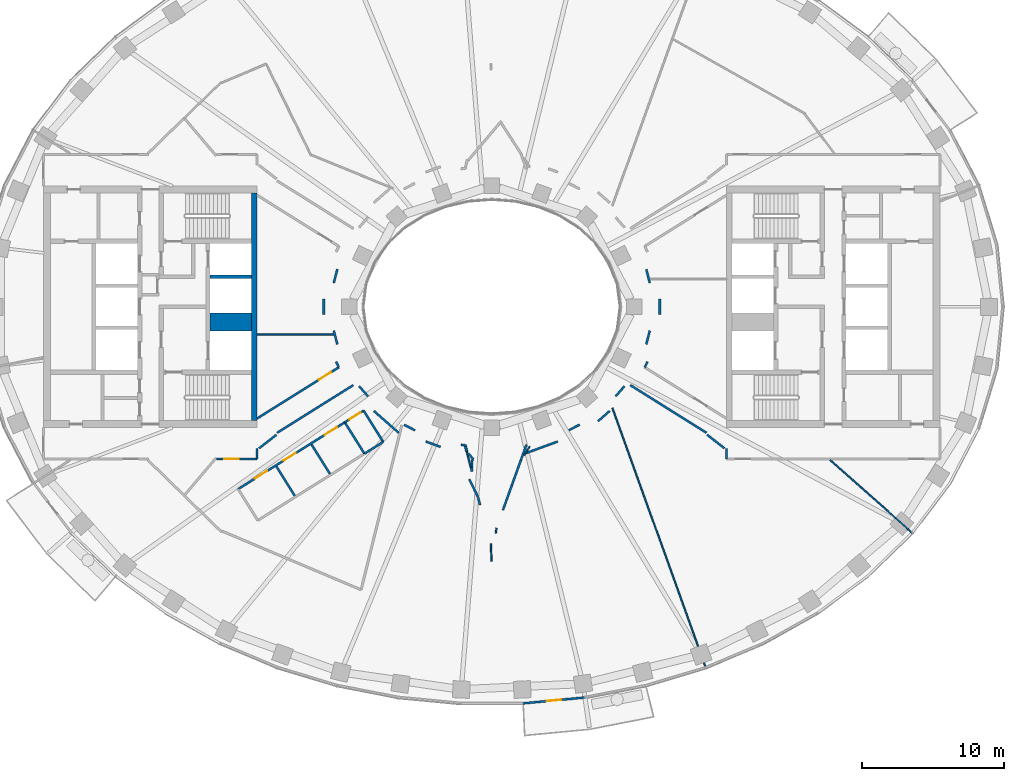
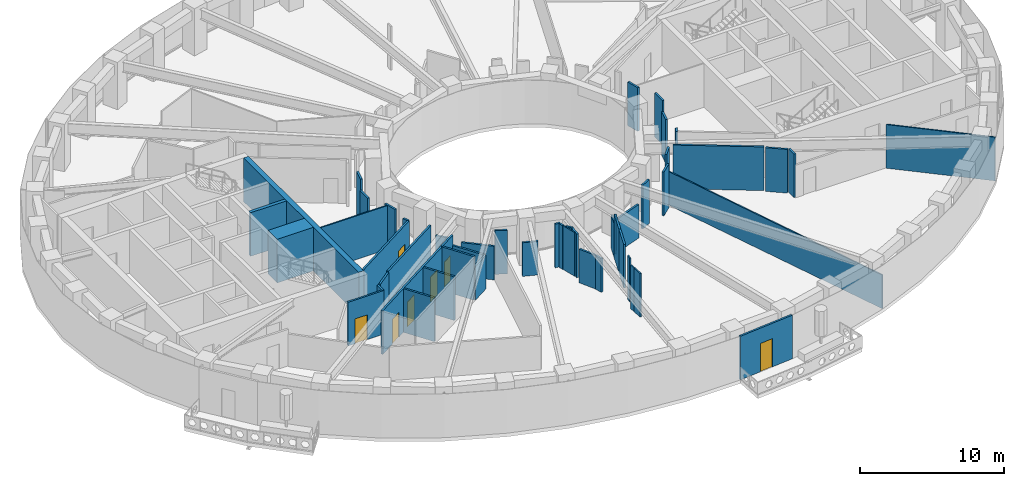
# One storey, part 4 of 16: 52 walls, 7 doors, 7 openings.
"""IFC4 building model written with IfcOpenShell, lengths in metres."""

import ifcopenshell
import ifcopenshell.guid

model = None  # the IFC model being written
_history = None  # IfcOwnerHistory: only IFC2X3 demands one
_inside = {}  # id of a spatial element -> (the spatial element, [elements in it])
_under = {}  # id of a project, library or spatial element -> (it, [spatial elements below it])
_declared = {}  # id of a project -> (the project, [libraries it declares])
_typed = {}  # id of a type object -> (the type object, [elements of that type])
_made_of = {}  # id of a material, layer set ... -> (it, [elements and type objects made of it])


def new_model(schema):
    """Start an empty IFC model of exactly this schema.

    Asked for "IFC4X3", IfcOpenShell would pick the latest addendum, in which some entities
    have other attributes; the version numbers below select the first issue.
    IFC2X3 requires an IfcOwnerHistory on every rooted entity: one is made here for all.
    """
    global model, _history
    if schema == "IFC4X3":
        model = ifcopenshell.file(schema_version=(4, 3, 0, 0))
    else:
        model = ifcopenshell.file(schema=schema)
    _inside.clear()
    _under.clear()
    _declared.clear()
    _typed.clear()
    _made_of.clear()
    _history = None
    if model.schema == "IFC2X3":
        org = make("IfcOrganization", Name="unknown")
        user = make(
            "IfcPersonAndOrganization",
            ThePerson=make("IfcPerson", FamilyName="unknown"),
            TheOrganization=org,
        )
        app = make(
            "IfcApplication",
            ApplicationDeveloper=org,
            Version="unknown",
            ApplicationFullName="unknown",
            ApplicationIdentifier="unknown",
        )
        _history = make(
            "IfcOwnerHistory",
            OwningUser=user,
            OwningApplication=app,
            ChangeAction="ADDED",
            CreationDate=0,
        )
    return model


def make(cls, **values):
    """One entity of the class cls with the attributes given. An attribute that is None is left unset."""
    return model.create_entity(
        cls, **{name: value for name, value in values.items() if value is not None}
    )


def rooted(cls, **values):
    """An entity with a GlobalId (a new one), such as an element, a storey or a relation."""
    return make(cls, GlobalId=ifcopenshell.guid.new(), OwnerHistory=_history, **values)


def si_unit(unit_type, name, prefix=None):
    """IfcSIUnit, for example si_unit("LENGTHUNIT", "METRE", prefix="MILLI")."""
    return make("IfcSIUnit", UnitType=unit_type, Prefix=prefix, Name=name)


def assignment(units):
    """IfcUnitAssignment: the units of a project."""
    return None if units is None else make("IfcUnitAssignment", Units=units)


def point(xyz):
    """IfcCartesianPoint."""
    return None if xyz is None else make("IfcCartesianPoint", Coordinates=xyz)


def direction(xyz):
    """IfcDirection."""
    return None if xyz is None else make("IfcDirection", DirectionRatios=xyz)


def frame(location, z_axis=None, x_axis=None):
    """IfcAxis2Placement3D, a coordinate frame: its origin and axes. An axis left out is left unset."""
    return make(
        "IfcAxis2Placement3D",
        Location=point(location),
        Axis=direction(z_axis),
        RefDirection=direction(x_axis),
    )


def frame_2d(location, x_axis=None):
    """IfcAxis2Placement2D, a coordinate frame in the plane: its origin and x axis."""
    return make(
        "IfcAxis2Placement2D", Location=point(location), RefDirection=direction(x_axis)
    )


def origin():
    """The frame at (0, 0, 0) with its axes left unset."""
    return frame((0.0, 0.0, 0.0))


def place(relative_to, where):
    """IfcLocalPlacement: puts the frame where relative to a parent placement (None: the world)."""
    return make(
        "IfcLocalPlacement", PlacementRelTo=relative_to, RelativePlacement=where
    )


def context(
    kind, dimensions, precision=None, world=None, true_north=None, identifier=None
):
    """IfcGeometricRepresentationContext, for example the 3D "Model" context."""
    return make(
        "IfcGeometricRepresentationContext",
        ContextIdentifier=identifier,
        ContextType=kind,
        CoordinateSpaceDimension=dimensions,
        Precision=precision,
        WorldCoordinateSystem=world,
        TrueNorth=true_north,
    )


def subcontext(parent, identifier, kind, view, scale=None):
    """IfcGeometricRepresentationSubContext, for example "Body" below "Model"."""
    return make(
        "IfcGeometricRepresentationSubContext",
        ContextIdentifier=identifier,
        ContextType=kind,
        ParentContext=parent,
        TargetScale=scale,
        TargetView=view,
    )


def project(units=None, contexts=None):
    """IfcProject with its units and contexts."""
    return rooted(
        "IfcProject",
        Name="project",
        RepresentationContexts=contexts,
        UnitsInContext=assignment(units),
    )


def spatial(cls, under=None, at=None, **own):
    """A site, building, storey or space (cls), placed at a placement, below another one or the project."""
    s = rooted(cls, ObjectPlacement=at, **own)
    if under is not None:
        _under.setdefault(under.id(), (under, []))[1].append(s)
    return s


def profile(cls, at=None, kind="AREA", **sizes):
    """A parametric profile (cls). Its sizes go by their IFC names, for example OverallWidth=200.0."""
    return make(cls, ProfileType=kind, Position=at, **sizes)


def rectangle(**sizes):
    """IfcRectangleProfileDef."""
    return profile("IfcRectangleProfileDef", **sizes)


def extrude(swept, where, along, depth):
    """IfcExtrudedAreaSolid: the profile swept, set in the frame where, extruded along a direction by depth."""
    return make(
        "IfcExtrudedAreaSolid",
        SweptArea=swept,
        Position=where,
        ExtrudedDirection=direction(along),
        Depth=depth,
    )


def shape(context_of_items, identifier, shape_type, items):
    """IfcShapeRepresentation: the items that make up one representation, for example the "Body"."""
    return make(
        "IfcShapeRepresentation",
        ContextOfItems=context_of_items,
        RepresentationIdentifier=identifier,
        RepresentationType=shape_type,
        Items=items,
    )


def material(Name=None, Category=None):
    """IfcMaterial."""
    return make("IfcMaterial", Name=Name, Category=Category)


def layer(
    of_material, thickness, ventilated=None, Name=None, Category=None, Priority=None
):
    """IfcMaterialLayer: one layer of a wall or slab, of a material (None: an air gap)."""
    return make(
        "IfcMaterialLayer",
        Material=of_material,
        LayerThickness=thickness,
        IsVentilated=ventilated,
        Name=Name,
        Category=Category,
        Priority=Priority,
    )


def layer_set(layers, Name=None):
    """IfcMaterialLayerSet."""
    return make("IfcMaterialLayerSet", MaterialLayers=layers, LayerSetName=Name)


def made_of(thing, what):
    """Note that an element or type object is made of a material, layer set ...; save() writes the relation."""
    if what is not None:
        _made_of.setdefault(what.id(), (what, []))[1].append(thing)
    return thing


def type_object(cls, material=None, **own):
    """A type object (cls), such as IfcWallType, which elements share."""
    return made_of(rooted(cls, **own), material)


def element(
    cls,
    number,
    at=None,
    inside=None,
    cuts=None,
    type_object=None,
    material=None,
    context=None,
    identifier="Body",
    shape_type=None,
    held_by="IfcProductDefinitionShape",
    body=None,
    shapes=None,
    **own,
):
    """One element of the class cls, such as IfcWall. Its Tag is "e" and its number.

    at: its placement. inside: the storey or other place that contains it. cuts: it is an
    opening in that element (IfcRelVoidsElement). A single representation is given by context,
    identifier, shape_type and body (its items); several are given by shapes. held_by: the class
    of the entity that holds the representations. save() writes the other relations.
    """
    e = rooted(cls, Tag="e%d" % number, ObjectPlacement=at, **own)
    if body is not None:
        shapes = [shape(context, identifier, shape_type, body)]
    if shapes is not None:
        e.Representation = make(held_by, Representations=shapes)
    if inside is not None:
        _inside.setdefault(inside.id(), (inside, []))[1].append(e)
    if cuts is not None:
        rooted(
            "IfcRelVoidsElement", RelatingBuildingElement=cuts, RelatedOpeningElement=e
        )
    if type_object is not None:
        _typed.setdefault(type_object.id(), (type_object, []))[1].append(e)
    return made_of(e, material)


def fill(opening, filler):
    """IfcRelFillsElement: the door or window that sits in an opening."""
    return rooted(
        "IfcRelFillsElement",
        RelatingOpeningElement=opening,
        RelatedBuildingElement=filler,
    )


def aggregate(whole, parts):
    """IfcRelAggregates: a whole, such as a stair, and the parts it consists of."""
    return rooted("IfcRelAggregates", RelatingObject=whole, RelatedObjects=parts)


def save(model, path):
    """Write the relations noted so far, then the file.

    IfcRelAggregates (storeys below a building ...), IfcRelContainedInSpatialStructure (elements
    in a storey), IfcRelDefinesByType, IfcRelAssociatesMaterial and IfcRelDeclares: one each for
    every whole, place, type object, material and project.
    """
    for whole, parts in _under.values():
        aggregate(whole, parts)
    for where, things in _inside.values():
        rooted(
            "IfcRelContainedInSpatialStructure",
            RelatedElements=things,
            RelatingStructure=where,
        )
    for kind, things in _typed.values():
        rooted("IfcRelDefinesByType", RelatedObjects=things, RelatingType=kind)
    for what, things in _made_of.values():
        rooted("IfcRelAssociatesMaterial", RelatedObjects=things, RelatingMaterial=what)
    for by, libraries in _declared.values():
        rooted("IfcRelDeclares", RelatingContext=by, RelatedDefinitions=libraries)
    model.write(path)


model = new_model("IFC4")

# Units and contexts
model_context = context("Model", 3, precision=1e-05, world=origin(), true_north=direction((0.0, 1.0)))
body_context = subcontext(model_context, "Body", "Model", "MODEL_VIEW")
ifc_project = project(units=[si_unit("LENGTHUNIT", "METRE"), si_unit("AREAUNIT", "SQUARE_METRE"), si_unit("VOLUMEUNIT", "CUBIC_METRE"), si_unit("PLANEANGLEUNIT", "RADIAN"), si_unit("MASSUNIT", "GRAM", prefix="KILO")], contexts=[model_context])

# Site, building, storey
site_placement = place(None, origin())
site = spatial("IfcSite", under=ifc_project, at=site_placement, CompositionType="ELEMENT")
building_placement = place(site_placement, origin())
building = spatial("IfcBuilding", under=site, at=building_placement, Name="Noorbagh Ring Tower", CompositionType="ELEMENT")
storey_placement = place(building_placement, frame((0.0, 0.0, 150.0)))
storey = spatial("IfcBuildingStorey", under=building, at=storey_placement, Name="L34", CompositionType="ELEMENT", Elevation=150.0)

# Wall, opening, door
ifc_material_1 = material(Name="Gypsum board on steel studs", Category="steel")
ifc_layer_1 = layer(ifc_material_1, 0.14990234375)
ifc_layer_set_1 = layer_set([ifc_layer_1], Name="Gypsum board on steel studs")
wall_type_1 = type_object("IfcWallType", Name="COMPARTMENT PARTITION 150 EI 60", PredefinedType="PARTITIONING", material=ifc_layer_set_1)
wall_1_placement = place(storey_placement, frame((-10.33203125, -8.118896484375, 0.0), z_axis=(0.0, 0.0, 1.0), x_axis=(0.847813537923, 0.530294451144, 0.0)))
wall_1 = element("IfcWall", 1, at=wall_1_placement, inside=storey, type_object=wall_type_1, Name="L34/wall/P36", PredefinedType="PARTITIONING", context=body_context, shape_type="SweptSolid", body=[
    extrude(rectangle(XDim=1.559326171875, YDim=0.14990234375, at=frame_2d((0.77978515625, 0.0))), origin(), (0.0, 0.0, 1.0), 3.699951171875),
])
opening_1_placement = place(wall_1_placement, frame((0.39990234375, 0.0, 0.0)))
opening_1 = element("IfcOpeningElement", 2, at=opening_1_placement, cuts=wall_1, Name="Opening D4", PredefinedType="OPENING", context=body_context, shape_type="SweptSolid", body=[
    extrude(rectangle(XDim=0.89990234375, YDim=2.10009765625, at=frame_2d((0.449951171875, 1.050048828125))), frame((0.0, 0.0849609375, 0.0), z_axis=(0.0, -1.0, 0.0), x_axis=(1.0, 0.0, 0.0)), (0.0, 0.0, 1.0), 0.169921875),
])
ifc_material_2 = material(Name="Timber, painted", Category="wood")
door_type_1 = type_object("IfcDoorType", Name="DOOR 900 X 2100 FD60", OperationType="SINGLE_SWING_LEFT", PredefinedType="DOOR", material=ifc_material_2)
door_1_placement = place(opening_1_placement, origin())
door_1 = element("IfcDoor", 3, at=door_1_placement, inside=storey, type_object=door_type_1, Name="L34-D05", OperationType="SINGLE_SWING_LEFT", OverallHeight=2.10009765625, OverallWidth=0.89990234375, PredefinedType="DOOR", context=body_context, shape_type="SweptSolid", body=[
    extrude(rectangle(XDim=0.89990234375, YDim=2.10009765625, at=frame_2d((0.449951171875, 1.050048828125))), frame((0.0, 0.02490234375, 0.0), z_axis=(0.0, -1.0, 0.0), x_axis=(1.0, 0.0, 0.0)), (0.0, 0.0, 1.0), 0.050048828125),
])
fill(opening_1, door_1)

# Walls
wall_2_placement = place(storey_placement, frame((-10.33203125, -8.118896484375, 0.0), z_axis=(0.0, 0.0, 1.0), x_axis=(0.530707606875, -0.847554975211, 0.0)))
element("IfcWall", 4, at=wall_2_placement, inside=storey, type_object=wall_type_1, Name="L34/wall/P37", PredefinedType="PARTITIONING", context=body_context, shape_type="SweptSolid", body=[
    extrude(rectangle(XDim=2.6005859375, YDim=0.14990234375, at=frame_2d((1.30029296875, 0.0))), origin(), (0.0, 0.0, 1.0), 3.699951171875),
])
wall_3_placement = place(storey_placement, frame((-9.010009765625, -7.2919921875, 0.0), z_axis=(0.0, 0.0, 1.0), x_axis=(0.530876561716, -0.847449158487, 0.0)))
element("IfcWall", 5, at=wall_3_placement, inside=storey, type_object=wall_type_1, Name="L34/wall/P41", PredefinedType="PARTITIONING", context=body_context, shape_type="SweptSolid", body=[
    extrude(rectangle(XDim=2.599609375, YDim=0.14990234375, at=frame_2d((1.2998046875, 0.0))), origin(), (0.0, 0.0, 1.0), 2.85009765625),
])
wall_4_placement = place(storey_placement, frame((-8.951904296875, -10.322998046875, 0.0), z_axis=(0.0, 0.0, 1.0), x_axis=(0.847522002386, 0.530760261768, 0.0)))
element("IfcWall", 6, at=wall_4_placement, inside=storey, type_object=wall_type_1, Name="L34/wall/P42", PredefinedType="PARTITIONING", context=body_context, shape_type="SweptSolid", body=[
    extrude(rectangle(XDim=1.55615234375, YDim=0.14990234375, at=frame_2d((0.778076171875, 0.0))), origin(), (0.0, 0.0, 1.0), 2.85009765625),
])
ifc_material_3 = material(Name="Concrete C60/75", Category="concrete")
ifc_layer_2 = layer(ifc_material_3, 1.25)
ifc_layer_set_2 = layer_set([ifc_layer_2], Name="Concrete C60/75")
wall_type_2 = type_object("IfcWallType", Name="CORE-WALL-1250-C60-75-EI120", PredefinedType="SHEAR", material=ifc_layer_set_2)
wall_5_placement = place(storey_placement, frame((-16.89990234375, -1.074951171875, 0.0), z_axis=(0.0, 0.0, 1.0), x_axis=(-1.0, 0.0, 0.0)))
element("IfcWall", 7, at=wall_5_placement, inside=storey, type_object=wall_type_2, Name="Core wall W", PredefinedType="SHEAR", context=body_context, shape_type="SweptSolid", body=[
    extrude(rectangle(XDim=2.900146484375, YDim=1.25, at=frame_2d((1.4501953125, 0.0))), origin(), (0.0, 0.0, 1.0), 3.699951171875),
])
ifc_material_4 = material(Name="Concrete C60/75", Category="concrete")
ifc_layer_3 = layer(ifc_material_4, 0.25)
ifc_layer_set_3 = layer_set([ifc_layer_3], Name="Concrete C60/75")
wall_type_3 = type_object("IfcWallType", Name="CORE-WALL-250-C60-75-EI120", PredefinedType="SHEAR", material=ifc_layer_set_3)
wall_6_placement = place(storey_placement, frame((-16.89990234375, 2.125, 0.0), z_axis=(0.0, 0.0, 1.0), x_axis=(-1.0, 0.0, 0.0)))
element("IfcWall", 8, at=wall_6_placement, inside=storey, type_object=wall_type_3, Name="Core wall W", PredefinedType="SHEAR", context=body_context, shape_type="SweptSolid", body=[
    extrude(rectangle(XDim=2.900146484375, YDim=0.25, at=frame_2d((1.4501953125, 0.0))), origin(), (0.0, 0.0, 1.0), 3.699951171875),
])
ifc_material_5 = material(Name="Concrete C60/75", Category="concrete")
ifc_layer_4 = layer(ifc_material_5, 0.39990234375)
ifc_layer_set_4 = layer_set([ifc_layer_4], Name="Concrete C60/75")
wall_type_4 = type_object("IfcWallType", Name="CORE-WALL-400-C60-75-EI240", PredefinedType="SHEAR", material=ifc_layer_set_4)
wall_7_placement = place(storey_placement, frame((-16.699951171875, -8.0, 0.0), z_axis=(0.0, 0.0, 1.0), x_axis=(0.0, 1.0, 0.0)))
element("IfcWall", 9, at=wall_7_placement, inside=storey, type_object=wall_type_4, Name="Core wall W", PredefinedType="SHEAR", context=body_context, shape_type="SweptSolid", body=[
    extrude(rectangle(XDim=16.0, YDim=0.39990234375, at=frame_2d((8.0, 0.0))), origin(), (0.0, 0.0, 1.0), 3.699951171875),
])

# Wall, opening, door
ifc_material_6 = material(Name="Gypsum board on steel studs", Category="steel")
ifc_layer_5 = layer(ifc_material_6, 0.14990234375)
ifc_layer_set_5 = layer_set([ifc_layer_5], Name="Gypsum board on steel studs")
wall_type_5 = type_object("IfcWallType", Name="CORRIDOR PARTITION 150 EI 30", PredefinedType="PARTITIONING", material=ifc_layer_set_5)
wall_8_placement = place(storey_placement, frame((-19.346923828125, -10.699951171875, 0.0), z_axis=(0.0, 0.0, 1.0), x_axis=(1.0, 0.0, 0.0)))
wall_8 = element("IfcWall", 10, at=wall_8_placement, inside=storey, type_object=wall_type_5, Name="L34/wall/P13", PredefinedType="PARTITIONING", context=body_context, shape_type="SweptSolid", body=[
    extrude(rectangle(XDim=2.846923828125, YDim=0.14990234375, at=frame_2d((1.42333984375, 0.0))), origin(), (0.0, 0.0, 1.0), 3.699951171875),
])
opening_2_placement = place(wall_8_placement, frame((0.552001953125, 0.0, 0.0)))
opening_2 = element("IfcOpeningElement", 11, at=opening_2_placement, cuts=wall_8, Name="Opening D1", PredefinedType="OPENING", context=body_context, shape_type="SweptSolid", body=[
    extrude(rectangle(XDim=1.0, YDim=2.10009765625, at=frame_2d((0.5, 1.050048828125))), frame((0.0, 0.0849609375, 0.0), z_axis=(0.0, -1.0, 0.0), x_axis=(1.0, 0.0, 0.0)), (0.0, 0.0, 1.0), 0.169921875),
])
ifc_material_7 = material(Name="Timber, painted", Category="wood")
door_type_2 = type_object("IfcDoorType", Name="DOOR 1000 X 2100 FD30", OperationType="SINGLE_SWING_LEFT", PredefinedType="DOOR", material=ifc_material_7)
door_2_placement = place(opening_2_placement, origin())
door_2 = element("IfcDoor", 12, at=door_2_placement, inside=storey, type_object=door_type_2, Name="L34-D01", OperationType="SINGLE_SWING_LEFT", OverallHeight=2.10009765625, OverallWidth=1.0, PredefinedType="DOOR", context=body_context, shape_type="SweptSolid", body=[
    extrude(rectangle(XDim=1.0, YDim=2.10009765625, at=frame_2d((0.5, 1.050048828125))), frame((0.0, 0.02490234375, 0.0), z_axis=(0.0, -1.0, 0.0), x_axis=(1.0, 0.0, 0.0)), (0.0, 0.0, 1.0), 0.050048828125),
])
fill(opening_2, door_2)

# Wall, openings, doors
wall_9_placement = place(storey_placement, frame((-17.824951171875, -12.81005859375, 0.0), z_axis=(0.0, 0.0, 1.0), x_axis=(0.847586900006, 0.53065661867, 0.0)))
wall_9 = element("IfcWall", 13, at=wall_9_placement, inside=storey, type_object=wall_type_5, Name="L34/wall/P18", PredefinedType="PARTITIONING", context=body_context, shape_type="SweptSolid", body=[
    extrude(rectangle(XDim=8.84033203125, YDim=0.14990234375, at=frame_2d((4.420166015625, 0.0))), origin(), (0.0, 0.0, 1.0), 3.699951171875),
])
opening_3_placement = place(wall_9_placement, frame((1.39990234375, 0.0, 0.0)))
opening_3 = element("IfcOpeningElement", 14, at=opening_3_placement, cuts=wall_9, Name="Opening D3", PredefinedType="OPENING", context=body_context, shape_type="SweptSolid", body=[
    extrude(rectangle(XDim=1.0, YDim=2.10009765625, at=frame_2d((0.5, 1.050048828125))), frame((0.0, 0.0849609375, 0.0), z_axis=(0.0, -1.0, 0.0), x_axis=(1.0, 0.0, 0.0)), (0.0, 0.0, 1.0), 0.169921875),
])
opening_4_placement = place(wall_9_placement, frame((3.77001953125, 0.0, 0.0)))
opening_4 = element("IfcOpeningElement", 15, at=opening_4_placement, cuts=wall_9, Name="Opening D3", PredefinedType="OPENING", context=body_context, shape_type="SweptSolid", body=[
    extrude(rectangle(XDim=1.0, YDim=2.10009765625, at=frame_2d((0.5, 1.050048828125))), frame((0.0, 0.0849609375, 0.0), z_axis=(0.0, -1.0, 0.0), x_axis=(1.0, 0.0, 0.0)), (0.0, 0.0, 1.0), 0.169921875),
])
opening_5_placement = place(wall_9_placement, frame((7.182373046875, 0.0, 0.0)))
opening_5 = element("IfcOpeningElement", 16, at=opening_5_placement, cuts=wall_9, Name="Opening D3", PredefinedType="OPENING", context=body_context, shape_type="SweptSolid", body=[
    extrude(rectangle(XDim=1.0, YDim=2.10009765625, at=frame_2d((0.5, 1.050048828125))), frame((0.0, 0.0849609375, 0.0), z_axis=(0.0, -1.0, 0.0), x_axis=(1.0, 0.0, 0.0)), (0.0, 0.0, 1.0), 0.169921875),
])
ifc_material_8 = material(Name="Timber, painted", Category="wood")
door_type_3 = type_object("IfcDoorType", Name="DOOR 1000 X 2100 WC", OperationType="SINGLE_SWING_LEFT", PredefinedType="DOOR", material=ifc_material_8)
door_3_placement = place(opening_3_placement, origin())
door_3 = element("IfcDoor", 17, at=door_3_placement, inside=storey, type_object=door_type_3, Name="L34-D02", OperationType="SINGLE_SWING_RIGHT", OverallHeight=2.10009765625, OverallWidth=1.0, PredefinedType="DOOR", context=body_context, shape_type="SweptSolid", body=[
    extrude(rectangle(XDim=1.0, YDim=2.10009765625, at=frame_2d((0.5, 1.050048828125))), frame((0.0, 0.02490234375, 0.0), z_axis=(0.0, -1.0, 0.0), x_axis=(1.0, 0.0, 0.0)), (0.0, 0.0, 1.0), 0.050048828125),
])
fill(opening_3, door_3)
door_4_placement = place(opening_4_placement, origin())
door_4 = element("IfcDoor", 18, at=door_4_placement, inside=storey, type_object=door_type_3, Name="L34-D03", OperationType="SINGLE_SWING_LEFT", OverallHeight=2.10009765625, OverallWidth=1.0, PredefinedType="DOOR", context=body_context, shape_type="SweptSolid", body=[
    extrude(rectangle(XDim=1.0, YDim=2.10009765625, at=frame_2d((0.5, 1.050048828125))), frame((0.0, 0.02490234375, 0.0), z_axis=(0.0, -1.0, 0.0), x_axis=(1.0, 0.0, 0.0)), (0.0, 0.0, 1.0), 0.050048828125),
])
fill(opening_4, door_4)
door_5_placement = place(opening_5_placement, origin())
door_5 = element("IfcDoor", 19, at=door_5_placement, inside=storey, type_object=door_type_3, Name="L34-D04", OperationType="SINGLE_SWING_RIGHT", OverallHeight=2.10009765625, OverallWidth=1.0, PredefinedType="DOOR", context=body_context, shape_type="SweptSolid", body=[
    extrude(rectangle(XDim=1.0, YDim=2.10009765625, at=frame_2d((0.5, 1.050048828125))), frame((0.0, 0.02490234375, 0.0), z_axis=(0.0, -1.0, 0.0), x_axis=(1.0, 0.0, 0.0)), (0.0, 0.0, 1.0), 0.050048828125),
])
fill(opening_5, door_5)

# Wall
wall_10_placement = place(storey_placement, frame((-16.5, -10.699951171875, 0.0), z_axis=(0.0, 0.0, 1.0), x_axis=(0.0, 1.0, 0.0)))
element("IfcWall", 20, at=wall_10_placement, inside=storey, type_object=wall_type_5, Name="L34/wall/P19", PredefinedType="PARTITIONING", context=body_context, shape_type="SweptSolid", body=[
    extrude(rectangle(XDim=0.73583984375, YDim=0.14990234375, at=frame_2d((0.367919921875, 0.0))), origin(), (0.0, 0.0, 1.0), 3.699951171875),
])

# Wall, opening, door
wall_11_placement = place(storey_placement, frame((-16.5, -7.85107421875, 0.0), z_axis=(0.0, 0.0, 1.0), x_axis=(0.847690706888, 0.530490777917, 0.0)))
wall_11 = element("IfcWall", 21, at=wall_11_placement, inside=storey, type_object=wall_type_5, Name="L34/wall/P24", PredefinedType="PARTITIONING", context=body_context, shape_type="SweptSolid", body=[
    extrude(rectangle(XDim=6.78076171875, YDim=0.14990234375, at=frame_2d((3.390380859375, 0.0))), origin(), (0.0, 0.0, 1.0), 3.699951171875),
])
opening_6_placement = place(wall_11_placement, frame((5.130615234375, 0.0, 0.0)))
opening_6 = element("IfcOpeningElement", 22, at=opening_6_placement, cuts=wall_11, Name="Opening D1", PredefinedType="OPENING", context=body_context, shape_type="SweptSolid", body=[
    extrude(rectangle(XDim=1.0, YDim=2.10009765625, at=frame_2d((0.5, 1.050048828125))), frame((0.0, 0.0849609375, 0.0), z_axis=(0.0, -1.0, 0.0), x_axis=(1.0, 0.0, 0.0)), (0.0, 0.0, 1.0), 0.169921875),
])
door_6_placement = place(opening_6_placement, origin())
door_6 = element("IfcDoor", 23, at=door_6_placement, inside=storey, type_object=door_type_2, Name="L34-D15", OperationType="SINGLE_SWING_LEFT", OverallHeight=2.10009765625, OverallWidth=1.0, PredefinedType="DOOR", context=body_context, shape_type="SweptSolid", body=[
    extrude(rectangle(XDim=1.0, YDim=2.10009765625, at=frame_2d((0.5, 1.050048828125))), frame((0.0, 0.02490234375, 0.0), z_axis=(0.0, -1.0, 0.0), x_axis=(1.0, 0.0, 0.0)), (0.0, 0.0, 1.0), 0.050048828125),
])
fill(opening_6, door_6)

# Walls
wall_12_placement = place(storey_placement, frame((-15.139892578125, -11.218994140625, 0.0), z_axis=(0.0, 0.0, 1.0), x_axis=(0.530868062721, -0.847454482544, 0.0)))
element("IfcWall", 24, at=wall_12_placement, inside=storey, type_object=wall_type_5, Name="L34/wall/P26", PredefinedType="PARTITIONING", context=body_context, shape_type="SweptSolid", body=[
    extrude(rectangle(XDim=2.448486328125, YDim=0.14990234375, at=frame_2d((1.22412109375, 0.0))), origin(), (0.0, 0.0, 1.0), 3.699951171875),
])
wall_13_placement = place(storey_placement, frame((-15.089111328125, -8.85595703125, 0.0), z_axis=(0.0, 0.0, 1.0), x_axis=(0.847611500167, 0.53061732424, 0.0)))
element("IfcWall", 25, at=wall_13_placement, inside=storey, type_object=wall_type_5, Name="L34/wall/P27", PredefinedType="PARTITIONING", context=body_context, shape_type="SweptSolid", body=[
    extrude(rectangle(XDim=6.3154296875, YDim=0.14990234375, at=frame_2d((3.15771484375, 0.0))), origin(), (0.0, 0.0, 1.0), 3.699951171875),
])
wall_14_placement = place(storey_placement, frame((-12.672119140625, -9.673095703125, 0.0), z_axis=(0.0, 0.0, 1.0), x_axis=(0.530760275021, -0.847521994086, 0.0)))
element("IfcWall", 26, at=wall_14_placement, inside=storey, type_object=wall_type_5, Name="L34/wall/P30", PredefinedType="PARTITIONING", context=body_context, shape_type="SweptSolid", body=[
    extrude(rectangle(XDim=2.449462890625, YDim=0.14990234375, at=frame_2d((1.224609375, 0.0))), origin(), (0.0, 0.0, 1.0), 3.699951171875),
])
wall_15_placement = place(storey_placement, frame((-11.80810546875, -0.550048828125, 0.0), z_axis=(0.0, 0.0, 1.0), x_axis=(0.0, 1.0, 0.0)))
element("IfcWall", 27, at=wall_15_placement, inside=storey, type_object=wall_type_5, Name="L34/wall/P31", PredefinedType="PARTITIONING", context=body_context, shape_type="SweptSolid", body=[
    extrude(rectangle(XDim=1.10009765625, YDim=0.14990234375, at=frame_2d((0.550048828125, 0.0))), origin(), (0.0, 0.0, 1.0), 3.699951171875),
])
for number, where, z_axis, x_axis, name in (
    (28, (-11.10595703125, -1.677001953125, 0.0), (0.0, 0.0, 1.0), (0.251541813796, -0.967846431988, 0.0), "L34/wall/P32"),
    (29, (-11.10595703125, 1.677001953125, 0.0), (0.0, 0.0, 1.0), (0.251541813796, 0.967846431988, 0.0), "L34/wall/P33"),
):
    element("IfcWall", number, at=place(storey_placement, frame(where, z_axis=z_axis, x_axis=x_axis)), inside=storey, type_object=wall_type_5, Name=name, PredefinedType="PARTITIONING", context=body_context, shape_type="SweptSolid", body=[
        extrude(rectangle(XDim=0.993896484375, YDim=0.14990234375, at=frame_2d((0.4970703125, 0.0))), origin(), (0.0, 0.0, 1.0), 3.699951171875),
    ])
wall_16_placement = place(storey_placement, frame((-10.93798828125, -3.863037109375, 0.0), z_axis=(0.0, 0.0, 1.0), x_axis=(0.429758433873, -0.90294390109, 0.0)))
element("IfcWall", 30, at=wall_16_placement, inside=storey, type_object=wall_type_5, Name="L34/wall/P34", PredefinedType="PARTITIONING", context=body_context, shape_type="SweptSolid", body=[
    extrude(rectangle(XDim=0.432861328125, YDim=0.14990234375, at=frame_2d((0.21630859375, 0.0))), origin(), (0.0, 0.0, 1.0), 3.699951171875),
])
wall_17_placement = place(storey_placement, frame((-9.324951171875, -5.576904296875, 0.0), z_axis=(0.0, 0.0, 1.0), x_axis=(0.656365478363, -0.754443078578, 0.0)))
element("IfcWall", 31, at=wall_17_placement, inside=storey, type_object=wall_type_5, Name="L34/wall/P38", PredefinedType="PARTITIONING", context=body_context, shape_type="SweptSolid", body=[
    extrude(rectangle(XDim=0.9384765625, YDim=0.14990234375, at=frame_2d((0.46923828125, 0.0))), origin(), (0.0, 0.0, 1.0), 2.75),
])
wall_18_placement = place(storey_placement, frame((-8.283935546875, -7.322021484375, 0.0), z_axis=(0.0, 0.0, 1.0), x_axis=(0.750605726473, -0.660750363894, 0.0)))
element("IfcWall", 32, at=wall_18_placement, inside=storey, type_object=wall_type_5, Name="L34/wall/P43", PredefinedType="PARTITIONING", context=body_context, shape_type="SweptSolid", body=[
    extrude(rectangle(XDim=2.336669921875, YDim=0.14990234375, at=frame_2d((1.16845703125, 0.0))), origin(), (0.0, 0.0, 1.0), 2.85009765625),
])
wall_19_placement = place(storey_placement, frame((-6.16796875, -8.287109375, 0.0), z_axis=(0.0, 0.0, 1.0), x_axis=(0.889307410814, -0.45730988298, 0.0)))
element("IfcWall", 33, at=wall_19_placement, inside=storey, type_object=wall_type_5, Name="L34/wall/P45", PredefinedType="PARTITIONING", context=body_context, shape_type="SweptSolid", body=[
    extrude(rectangle(XDim=0.8681640625, YDim=0.14990234375, at=frame_2d((0.43408203125, 0.0))), origin(), (0.0, 0.0, 1.0), 3.699951171875),
])
wall_20_placement = place(storey_placement, frame((-4.635986328125, -9.468017578125, 0.0), z_axis=(0.0, 0.0, 1.0), x_axis=(0.939117611585, -0.343595855054, 0.0)))
element("IfcWall", 34, at=wall_20_placement, inside=storey, type_object=wall_type_5, Name="L34/wall/P47", PredefinedType="PARTITIONING", context=body_context, shape_type="SweptSolid", body=[
    extrude(rectangle(XDim=1.099853515625, YDim=0.14990234375, at=frame_2d((0.5498046875, 0.0))), origin(), (0.0, 0.0, 1.0), 2.85009765625),
])
wall_21_placement = place(storey_placement, frame((-2.1640625, -9.696044921875, 0.0), z_axis=(0.0, 0.0, 1.0), x_axis=(0.988931681562, -0.148371591632, 0.0)))
element("IfcWall", 35, at=wall_21_placement, inside=storey, type_object=wall_type_5, Name="L34/wall/P49", PredefinedType="PARTITIONING", context=body_context, shape_type="SweptSolid", body=[
    extrude(rectangle(XDim=0.38330078125, YDim=0.14990234375, at=frame_2d((0.191650390625, 0.0))), origin(), (0.0, 0.0, 1.0), 3.699951171875),
])
wall_22_placement = place(storey_placement, frame((-1.845947265625, -9.820068359375, 0.0), z_axis=(0.0, 0.0, 1.0), x_axis=(0.239176745056, -0.9709760474, 0.0)))
element("IfcWall", 36, at=wall_22_placement, inside=storey, type_object=wall_type_5, Name="L34/wall/P51", PredefinedType="PARTITIONING", context=body_context, shape_type="SweptSolid", body=[
    extrude(rectangle(XDim=0.359375, YDim=0.14990234375, at=frame_2d((0.1796875, 0.0))), origin(), (0.0, 0.0, 1.0), 3.699951171875),
])
wall_23_placement = place(storey_placement, frame((-1.64697265625, -10.304931640625, 0.0), z_axis=(0.0, 0.0, 1.0), x_axis=(0.645233531438, -0.763985399015, 0.0)))
element("IfcWall", 37, at=wall_23_placement, inside=storey, type_object=wall_type_5, Name="L34/wall/P54", PredefinedType="PARTITIONING", context=body_context, shape_type="SweptSolid", body=[
    extrude(rectangle(XDim=0.540771484375, YDim=0.14990234375, at=frame_2d((0.2705078125, 0.0))), origin(), (0.0, 0.0, 1.0), 3.699951171875),
])
wall_24_placement = place(storey_placement, frame((-1.583984375, -12.113037109375, 0.0), z_axis=(0.0, 0.0, 1.0), x_axis=(0.439628753257, -0.898179580769, 0.0)))
element("IfcWall", 38, at=wall_24_placement, inside=storey, type_object=wall_type_5, Name="L34/wall/P56", PredefinedType="PARTITIONING", context=body_context, shape_type="SweptSolid", body=[
    extrude(rectangle(XDim=1.380615234375, YDim=0.14990234375, at=frame_2d((0.6904296875, 0.0))), origin(), (0.0, 0.0, 1.0), 2.85009765625),
])
wall_25_placement = place(storey_placement, frame((-1.4130859375, -11.56396484375, 0.0), z_axis=(0.0, 0.0, 1.0), x_axis=(0.047579277873, 0.998867464841, 0.0)))
element("IfcWall", 39, at=wall_25_placement, inside=storey, type_object=wall_type_5, Name="L34/wall/P57", PredefinedType="PARTITIONING", context=body_context, shape_type="SweptSolid", body=[
    extrude(rectangle(XDim=0.821044921875, YDim=0.14990234375, at=frame_2d((0.41064453125, 0.0))), origin(), (0.0, 0.0, 1.0), 3.699951171875),
])
wall_26_placement = place(storey_placement, frame((-0.965087890625, -13.385986328125, 0.0), z_axis=(0.0, 0.0, 1.0), x_axis=(0.239578315167, -0.970877042113, 0.0)))
element("IfcWall", 40, at=wall_26_placement, inside=storey, type_object=wall_type_5, Name="L34/wall/P58", PredefinedType="PARTITIONING", context=body_context, shape_type="SweptSolid", body=[
    extrude(rectangle(XDim=0.5634765625, YDim=0.14990234375, at=frame_2d((0.28173828125, 0.0))), origin(), (0.0, 0.0, 1.0), 2.85009765625),
])
wall_27_placement = place(storey_placement, frame((0.783935546875, -14.284912109375, 0.0), z_axis=(0.0, 0.0, 1.0), x_axis=(0.337979683305, 0.941153406025, 0.0)))
element("IfcWall", 41, at=wall_27_placement, inside=storey, type_object=wall_type_5, Name="L34/wall/P64", PredefinedType="PARTITIONING", context=body_context, shape_type="SweptSolid", body=[
    extrude(rectangle(XDim=1.8818359375, YDim=0.14990234375, at=frame_2d((0.94091796875, 0.0))), origin(), (0.0, 0.0, 1.0), 3.699951171875),
])
wall_28_placement = place(storey_placement, frame((1.39208984375, -12.591064453125, 0.0), z_axis=(0.0, 0.0, 1.0), x_axis=(0.338723994486, 0.94088578242, 0.0)))
element("IfcWall", 42, at=wall_28_placement, inside=storey, type_object=wall_type_5, Name="L34/wall/P65", PredefinedType="PARTITIONING", context=body_context, shape_type="SweptSolid", body=[
    extrude(rectangle(XDim=1.909912109375, YDim=0.14990234375, at=frame_2d((0.955078125, 0.0))), origin(), (0.0, 0.0, 1.0), 3.699951171875),
])
wall_29_placement = place(storey_placement, frame((2.0439453125, -10.780029296875, 0.0), z_axis=(0.0, 0.0, 1.0), x_axis=(0.338399406306, 0.941002572691, 0.0)))
element("IfcWall", 43, at=wall_29_placement, inside=storey, type_object=wall_type_5, Name="L34/wall/P66", PredefinedType="PARTITIONING", context=body_context, shape_type="SweptSolid", body=[
    extrude(rectangle(XDim=1.16162109375, YDim=0.14990234375, at=frame_2d((0.580810546875, 0.0))), origin(), (0.0, 0.0, 1.0), 2.85009765625),
])
wall_30_placement = place(storey_placement, frame((2.39794921875, -10.287109375, 0.0), z_axis=(0.0, 0.0, 1.0), x_axis=(0.939082535462, 0.343691710099, 0.0)))
element("IfcWall", 44, at=wall_30_placement, inside=storey, type_object=wall_type_5, Name="L34/wall/P70", PredefinedType="PARTITIONING", context=body_context, shape_type="SweptSolid", body=[
    extrude(rectangle(XDim=2.38330078125, YDim=0.14990234375, at=frame_2d((1.191650390625, 0.0))), origin(), (0.0, 0.0, 1.0), 2.85009765625),
])
wall_31_placement = place(storey_placement, frame((5.4169921875, -8.673095703125, 0.0), z_axis=(0.0, 0.0, 1.0), x_axis=(0.889398654128, 0.457132403178, 0.0)))
element("IfcWall", 45, at=wall_31_placement, inside=storey, type_object=wall_type_5, Name="L34/wall/P73", PredefinedType="PARTITIONING", context=body_context, shape_type="SweptSolid", body=[
    extrude(rectangle(XDim=0.844482421875, YDim=0.14990234375, at=frame_2d((0.42236328125, 0.0))), origin(), (0.0, 0.0, 1.0), 3.699951171875),
])
wall_32_placement = place(storey_placement, frame((7.4580078125, -8.049072265625, 0.0), z_axis=(0.0, 0.0, 1.0), x_axis=(0.75060787095, 0.660747927782, 0.0)))
element("IfcWall", 46, at=wall_32_placement, inside=storey, type_object=wall_type_5, Name="L34/wall/P74", PredefinedType="PARTITIONING", context=body_context, shape_type="SweptSolid", body=[
    extrude(rectangle(XDim=1.100341796875, YDim=0.14990234375, at=frame_2d((0.55029296875, 0.0))), origin(), (0.0, 0.0, 1.0), 3.699951171875),
])
wall_33_placement = place(storey_placement, frame((8.708984375, -6.284912109375, 0.0), z_axis=(0.0, 0.0, 1.0), x_axis=(0.656365478363, 0.754443078578, 0.0)))
element("IfcWall", 47, at=wall_33_placement, inside=storey, type_object=wall_type_5, Name="L34/wall/P78", PredefinedType="PARTITIONING", context=body_context, shape_type="SweptSolid", body=[
    extrude(rectangle(XDim=0.9384765625, YDim=0.14990234375, at=frame_2d((0.46923828125, 0.0))), origin(), (0.0, 0.0, 1.0), 3.699951171875),
])
wall_34_placement = place(storey_placement, frame((9.736083984375, -5.5048828125, 0.0), z_axis=(0.0, 0.0, 1.0), x_axis=(0.847611500167, -0.53061732424, 0.0)))
element("IfcWall", 48, at=wall_34_placement, inside=storey, type_object=wall_type_5, Name="L34/wall/P80", PredefinedType="PARTITIONING", context=body_context, shape_type="SweptSolid", body=[
    extrude(rectangle(XDim=6.3154296875, YDim=0.14990234375, at=frame_2d((3.15771484375, 0.0))), origin(), (0.0, 0.0, 1.0), 3.699951171875),
])
wall_35_placement = place(storey_placement, frame((10.751953125, -4.25390625, 0.0), z_axis=(0.0, 0.0, 1.0), x_axis=(0.429758433873, 0.90294390109, 0.0)))
element("IfcWall", 49, at=wall_35_placement, inside=storey, type_object=wall_type_5, Name="L34/wall/P82", PredefinedType="PARTITIONING", context=body_context, shape_type="SweptSolid", body=[
    extrude(rectangle(XDim=0.432861328125, YDim=0.14990234375, at=frame_2d((0.21630859375, 0.0))), origin(), (0.0, 0.0, 1.0), 3.699951171875),
])
for number, where, z_axis, x_axis, name in (
    (50, (10.85595703125, -2.638916015625, 0.0), (0.0, 0.0, 1.0), (0.251541813796, 0.967846431988, 0.0), "L34/wall/P86"),
    (51, (10.85595703125, 2.638916015625, 0.0), (0.0, 0.0, 1.0), (0.251541813796, -0.967846431988, 0.0), "L34/wall/P87"),
):
    element("IfcWall", number, at=place(storey_placement, frame(where, z_axis=z_axis, x_axis=x_axis)), inside=storey, type_object=wall_type_5, Name=name, PredefinedType="PARTITIONING", context=body_context, shape_type="SweptSolid", body=[
        extrude(rectangle(XDim=0.993896484375, YDim=0.14990234375, at=frame_2d((0.4970703125, 0.0))), origin(), (0.0, 0.0, 1.0), 3.699951171875),
    ])
wall_36_placement = place(storey_placement, frame((11.80810546875, -0.550048828125, 0.0), z_axis=(0.0, 0.0, 1.0), x_axis=(0.0, 1.0, 0.0)))
element("IfcWall", 52, at=wall_36_placement, inside=storey, type_object=wall_type_5, Name="L34/wall/P89", PredefinedType="PARTITIONING", context=body_context, shape_type="SweptSolid", body=[
    extrude(rectangle(XDim=1.10009765625, YDim=0.14990234375, at=frame_2d((0.550048828125, 0.0))), origin(), (0.0, 0.0, 1.0), 3.699951171875),
])
wall_37_placement = place(storey_placement, frame((16.5, -10.699951171875, 0.0), z_axis=(0.0, 0.0, 1.0), x_axis=(0.0, 1.0, 0.0)))
element("IfcWall", 53, at=wall_37_placement, inside=storey, type_object=wall_type_5, Name="L34/wall/P91", PredefinedType="PARTITIONING", context=body_context, shape_type="SweptSolid", body=[
    extrude(rectangle(XDim=0.73583984375, YDim=0.14990234375, at=frame_2d((0.367919921875, 0.0))), origin(), (0.0, 0.0, 1.0), 3.699951171875),
])
for number, where, z_axis, x_axis, name in (
    (54, (-15.138916015625, -8.9970703125, 0.0), (0.0, 0.0, 1.0), (-0.788950226826, -0.614457109643, 0.0), "L34/wall/P100"),
    (55, (16.35205078125, -9.94189453125, 0.0), (0.0, 0.0, 1.0), (-0.788950226826, 0.614457109643, 0.0), "L34/wall/P102"),
):
    element("IfcWall", number, at=place(storey_placement, frame(where, z_axis=z_axis, x_axis=x_axis)), inside=storey, type_object=wall_type_5, Name=name, PredefinedType="PARTITIONING", context=body_context, shape_type="SweptSolid", body=[
        extrude(rectangle(XDim=1.53759765625, YDim=0.14990234375, at=frame_2d((0.768798828125, 0.0))), origin(), (0.0, 0.0, 1.0), 3.699951171875),
    ])

# Wall, opening, door
ifc_material_9 = material(Name="Insulated aluminium clad panel", Category="aluminium")
ifc_layer_6 = layer(ifc_material_9, 0.14990234375)
ifc_layer_set_6 = layer_set([ifc_layer_6], Name="Insulated aluminium clad panel")
wall_type_6 = type_object("IfcWallType", Name="ENV-WALL-DOOR", PredefinedType="STANDARD", material=ifc_layer_set_6)
wall_38_placement = place(storey_placement, frame((2.166259765625, -27.875244140625, 0.0), z_axis=(0.0, 0.0, 1.0), x_axis=(0.995473879823, 0.095035543824, 0.0)))
wall_38 = element("IfcWall", 56, at=wall_38_placement, inside=storey, type_object=wall_type_6, Name="Balcony door wall chord 36", PredefinedType="STANDARD", context=body_context, shape_type="SweptSolid", body=[
    extrude(rectangle(XDim=4.42626953125, YDim=0.14990234375, at=frame_2d((2.213134765625, 0.0))), origin(), (0.0, 0.0, 1.0), 3.699951171875),
])
opening_7_placement = place(wall_38_placement, frame((1.713134765625, 0.0, 0.0)))
opening_7 = element("IfcOpeningElement", 57, at=opening_7_placement, cuts=wall_38, Name="Opening D-BL", PredefinedType="OPENING", context=body_context, shape_type="SweptSolid", body=[
    extrude(rectangle(XDim=1.0, YDim=2.39990234375, at=frame_2d((0.5, 1.199951171875))), frame((0.0, 0.0849609375, 0.0), z_axis=(0.0, -1.0, 0.0), x_axis=(1.0, 0.0, 0.0)), (0.0, 0.0, 1.0), 0.169921875),
])
ifc_material_10 = material(Name="Aluminium and glass", Category="aluminium")
door_type_4 = type_object("IfcDoorType", Name="ENV-DOOR-BALCONY", OperationType="SINGLE_SWING_LEFT", PredefinedType="DOOR", material=ifc_material_10)
door_7_placement = place(opening_7_placement, origin())
door_7 = element("IfcDoor", 58, at=door_7_placement, inside=storey, type_object=door_type_4, Name="Balcony door chord 36", OperationType="SINGLE_SWING_LEFT", OverallHeight=2.39990234375, OverallWidth=1.0, PredefinedType="DOOR", context=body_context, shape_type="SweptSolid", body=[
    extrude(rectangle(XDim=1.0, YDim=2.39990234375, at=frame_2d((0.5, 1.199951171875))), frame((0.0, 0.02490234375, 0.0), z_axis=(0.0, -1.0, 0.0), x_axis=(1.0, 0.0, 0.0)), (0.0, 0.0, 1.0), 0.050048828125),
])
fill(opening_7, door_7)

# Walls
ifc_material_11 = material(Name="Gypsum board on steel studs", Category="steel")
ifc_layer_7 = layer(ifc_material_11, 0.10009765625)
ifc_layer_set_7 = layer_set([ifc_layer_7], Name="Gypsum board on steel studs")
wall_type_7 = type_object("IfcWallType", Name="PARTITION 100 GYPSUM", PredefinedType="PARTITIONING", material=ifc_layer_set_7)
wall_39_placement = place(storey_placement, frame((-16.5, -1.951904296875, 0.0), z_axis=(0.0, 0.0, 1.0), x_axis=(1.0, 0.0, 0.0)))
element("IfcWall", 59, at=wall_39_placement, inside=storey, type_object=wall_type_7, Name="L34/wall/P20", PredefinedType="PARTITIONING", context=body_context, shape_type="SweptSolid", body=[
    extrude(rectangle(XDim=5.384033203125, YDim=0.10009765625, at=frame_2d((2.69189453125, 0.0))), origin(), (0.0, 0.0, 1.0), 3.699951171875),
])
wall_40_placement = place(storey_placement, frame((-1.759033203125, -10.173095703125, 0.0), z_axis=(0.0, 0.0, 1.0), x_axis=(0.240267830069, -0.970706634279, 0.0)))
element("IfcWall", 60, at=wall_40_placement, inside=storey, type_object=wall_type_7, Name="L34/wall/P53", PredefinedType="PARTITIONING", context=body_context, shape_type="SweptSolid", body=[
    extrude(rectangle(XDim=1.19091796875, YDim=0.10009765625, at=frame_2d((0.595458984375, 0.0))), origin(), (0.0, 0.0, 1.0), 3.699951171875),
])
wall_41_placement = place(storey_placement, frame((-0.069091796875, -16.657958984375, 0.0), z_axis=(0.0, 0.0, 1.0), x_axis=(0.047263912187, -0.998882436829, 0.0)))
element("IfcWall", 61, at=wall_41_placement, inside=storey, type_object=wall_type_7, Name="L34/wall/P59", PredefinedType="PARTITIONING", context=body_context, shape_type="SweptSolid", body=[
    extrude(rectangle(XDim=0.423583984375, YDim=0.10009765625, at=frame_2d((0.2119140625, 0.0))), origin(), (0.0, 0.0, 1.0), 3.699951171875),
])
wall_42_placement = place(storey_placement, frame((-0.048095703125, -17.10888671875, 0.0), z_axis=(0.0, 0.0, 1.0), x_axis=(0.047328449476, -0.998879381042, 0.0)))
element("IfcWall", 62, at=wall_42_placement, inside=storey, type_object=wall_type_7, Name="L34/wall/P61", PredefinedType="PARTITIONING", context=body_context, shape_type="SweptSolid", body=[
    extrude(rectangle(XDim=0.7841796875, YDim=0.10009765625, at=frame_2d((0.39208984375, 0.0))), origin(), (0.0, 0.0, 1.0), 3.699951171875),
])
wall_43_placement = place(storey_placement, frame((0.278076171875, -15.919921875, 0.0), z_axis=(0.0, 0.0, 1.0), x_axis=(0.141787249155, 0.989897154242, 0.0)))
element("IfcWall", 63, at=wall_43_placement, inside=storey, type_object=wall_type_7, Name="L34/wall/P62", PredefinedType="PARTITIONING", context=body_context, shape_type="SweptSolid", body=[
    extrude(rectangle(XDim=0.37353515625, YDim=0.10009765625, at=frame_2d((0.186767578125, 0.0))), origin(), (0.0, 0.0, 1.0), 3.699951171875),
])
wall_44_placement = place(storey_placement, frame((2.27197265625, -10.427001953125, 0.0), z_axis=(0.0, 0.0, 1.0), x_axis=(0.542357038302, 0.840148107779, 0.0)))
element("IfcWall", 64, at=wall_44_placement, inside=storey, type_object=wall_type_7, Name="L34/wall/P67", PredefinedType="PARTITIONING", context=body_context, shape_type="SweptSolid", body=[
    extrude(rectangle(XDim=0.724853515625, YDim=0.10009765625, at=frame_2d((0.3623046875, 0.0))), origin(), (0.0, 0.0, 1.0), 2.85009765625),
])
wall_45_placement = place(storey_placement, frame((8.47705078125, -7.111083984375, 0.0), z_axis=(0.0, 0.0, 1.0), x_axis=(0.338406456341, -0.941000037357, 0.0)))
element("IfcWall", 65, at=wall_45_placement, inside=storey, type_object=wall_type_7, Name="L34/wall/P76", PredefinedType="PARTITIONING", context=body_context, shape_type="SweptSolid", body=[
    extrude(rectangle(XDim=19.417724609375, YDim=0.10009765625, at=frame_2d((9.708984375, 0.0))), origin(), (0.0, 0.0, 1.0), 2.85009765625),
])
wall_46_placement = place(storey_placement, frame((23.784912109375, -10.778076171875, 0.0), z_axis=(0.0, 0.0, 1.0), x_axis=(0.748616873252, -0.663002848472, 0.0)))
element("IfcWall", 66, at=wall_46_placement, inside=storey, type_object=wall_type_7, Name="L34/wall/P96", PredefinedType="PARTITIONING", context=body_context, shape_type="SweptSolid", body=[
    extrude(rectangle(XDim=7.72216796875, YDim=0.10009765625, at=frame_2d((3.861083984375, 0.0))), origin(), (0.0, 0.0, 1.0), 3.699951171875),
])

save(model, "model.ifc")
